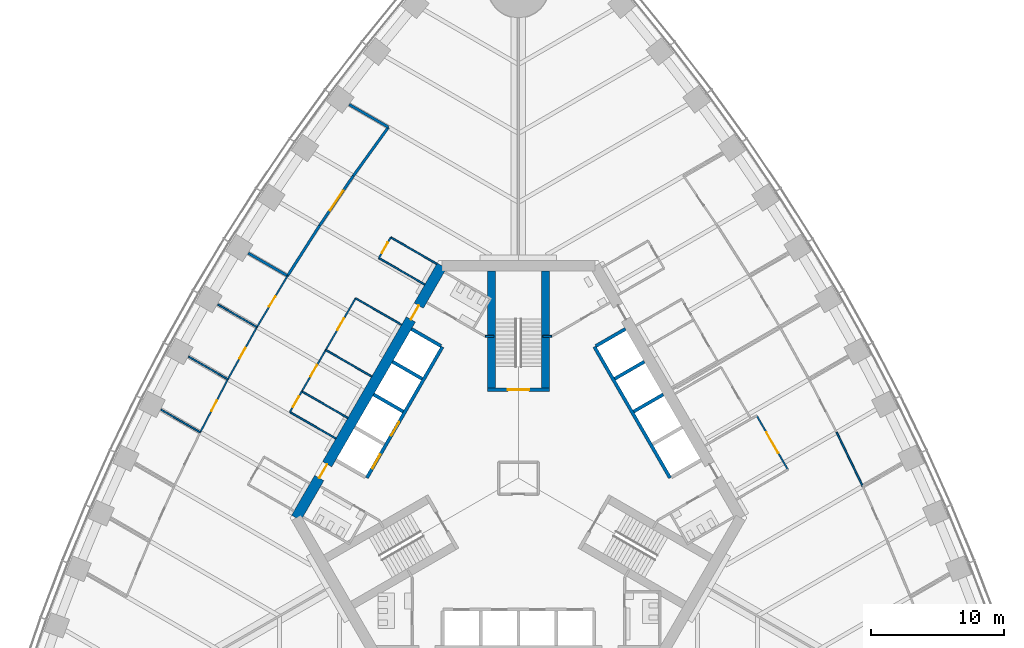
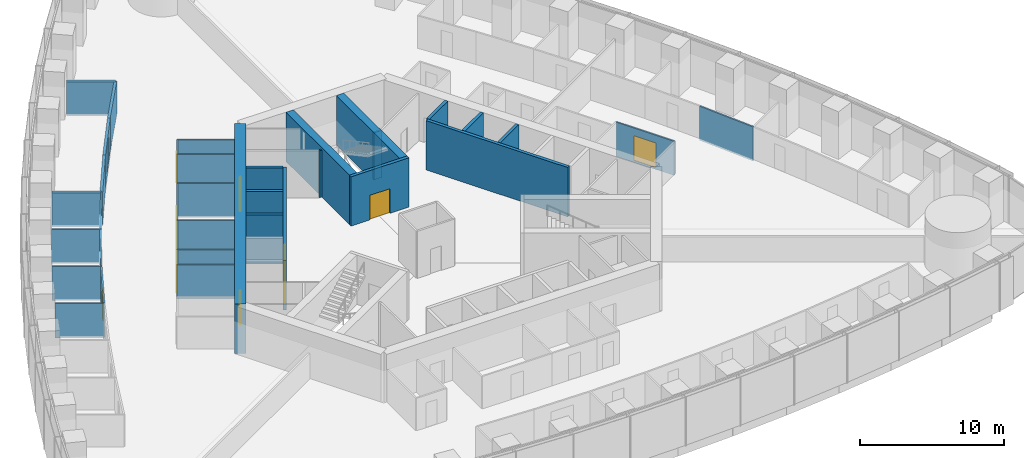
# One storey, part 12 of 19: 37 walls, 14 doors, 14 openings.
"""IFC4 building model written with IfcOpenShell, lengths in metres."""

from ifc_helpers import new_model, si_unit, direction, frame, frame_2d, origin, place, context, subcontext, project, spatial, rectangle, extrude, material, layer, layer_set, type_object, element, fill, save


model = new_model("IFC4")

# Units and contexts
model_context = context("Model", 3, precision=1e-05, world=origin(), true_north=direction((0.0, 1.0)))
body_context = subcontext(model_context, "Body", "Model", "MODEL_VIEW")
ifc_project = project(units=[si_unit("LENGTHUNIT", "METRE"), si_unit("AREAUNIT", "SQUARE_METRE"), si_unit("VOLUMEUNIT", "CUBIC_METRE"), si_unit("PLANEANGLEUNIT", "RADIAN"), si_unit("MASSUNIT", "GRAM", prefix="KILO")], contexts=[model_context])

# Site, building, storey
site_placement = place(None, origin())
site = spatial("IfcSite", under=ifc_project, at=site_placement, CompositionType="ELEMENT")
building_placement = place(site_placement, origin())
building = spatial("IfcBuilding", under=site, at=building_placement, Name="Trefoil Bronze Tower", CompositionType="ELEMENT")
storey_placement = place(building_placement, frame((0.0, 0.0, 20.699951171875)))
storey = spatial("IfcBuildingStorey", under=building, at=storey_placement, Name="L04", CompositionType="ELEMENT", Elevation=20.699951171875)

# Wall, opening, door
ifc_material_1 = material(Name="Gypsum board on steel studs", Category="steel")
ifc_layer_1 = layer(ifc_material_1, 0.199951171875)
ifc_layer_set_1 = layer_set([ifc_layer_1], Name="Acoustic partition 200")
wall_type_1 = type_object("IfcWallType", Name="Acoustic partition 200", PredefinedType="PARTITIONING", material=ifc_layer_set_1)
wall_1_placement = place(storey_placement, frame((-12.441162109375, 22.771240234375, 0.0), z_axis=(0.0, 0.0, 1.0), x_axis=(-0.561512004239, -0.827468591002, 0.0)))
wall_1 = element("IfcWall", 1, at=wall_1_placement, inside=storey, type_object=wall_type_1, Name="Partition F3 L04", PredefinedType="PARTITIONING", context=body_context, shape_type="SweptSolid", body=[
    extrude(rectangle(XDim=4.51171875, YDim=0.199951171875, at=frame_2d((2.255859375, 0.0))), origin(), (0.0, 0.0, 1.0), 2.900146484375),
])
opening_1_placement = place(wall_1_placement, frame((1.35009765625, 0.0, 0.14990234375)))
opening_1 = element("IfcOpeningElement", 2, at=opening_1_placement, cuts=wall_1, Name="Opening D10", PredefinedType="OPENING", context=body_context, shape_type="SweptSolid", body=[
    extrude(rectangle(XDim=1.800048828125, YDim=2.10009765625, at=frame_2d((0.89990234375, 1.050048828125))), frame((0.0, 0.10986328125, 0.0), z_axis=(0.0, -1.0, 0.0), x_axis=(1.0, 0.0, 0.0)), (0.0, 0.0, 1.0), 0.219970703125),
])
ifc_material_2 = material(Name="Timber door", Category="wood")
door_type_1 = type_object("IfcDoorType", Name="Double door 1800", OperationType="DOUBLE_DOOR_SINGLE_SWING", PredefinedType="DOOR", material=ifc_material_2)
door_1_placement = place(opening_1_placement, frame((1.800048828125, 0.0, 0.0), z_axis=(0.0, 0.0, 1.0), x_axis=(-1.0, 0.0, 0.0)))
door_1 = element("IfcDoor", 3, at=door_1_placement, inside=storey, type_object=door_type_1, Name="Training room door F3 L04", OperationType="DOUBLE_DOOR_SINGLE_SWING", OverallHeight=2.10009765625, OverallWidth=1.800048828125, PredefinedType="DOOR", context=body_context, shape_type="SweptSolid", body=[
    extrude(rectangle(XDim=1.800048828125, YDim=2.10009765625, at=frame_2d((0.89990234375, 1.050048828125))), frame((0.0, 0.02490234375, 0.0), z_axis=(0.0, -1.0, 0.0), x_axis=(1.0, 0.0, 0.0)), (0.0, 0.0, 1.0), 0.050048828125),
])
fill(opening_1, door_1)

# Walls
wall_2_placement = place(storey_placement, frame((-9.793212890625, 26.438720703125, 0.0), z_axis=(0.0, 0.0, 1.0), x_axis=(-0.585376255171, -0.810761765183, 0.0)))
element("IfcWall", 4, at=wall_2_placement, inside=storey, type_object=wall_type_1, Name="Partition F3 L04", PredefinedType="PARTITIONING", context=body_context, shape_type="SweptSolid", body=[
    extrude(rectangle(XDim=4.5234375, YDim=0.199951171875, at=frame_2d((2.26171875, 0.0))), origin(), (0.0, 0.0, 1.0), 2.900146484375),
])
wall_3_placement = place(storey_placement, frame((-14.974609375, 19.037841796875, 0.0), z_axis=(0.0, 0.0, 1.0), x_axis=(-0.537243691336, -0.843427066272, 0.0)))
element("IfcWall", 5, at=wall_3_placement, inside=storey, type_object=wall_type_1, Name="Partition F3 L04", PredefinedType="PARTITIONING", context=body_context, shape_type="SweptSolid", body=[
    extrude(rectangle(XDim=4.50439453125, YDim=0.199951171875, at=frame_2d((2.252197265625, 0.0))), origin(), (0.0, 0.0, 1.0), 2.900146484375),
])
wall_4_placement = place(storey_placement, frame((-9.793212890625, 26.438720703125, 0.0), z_axis=(0.0, 0.0, 1.0), x_axis=(-0.866040105854, 0.499974534403, 0.0)))
element("IfcWall", 6, at=wall_4_placement, inside=storey, type_object=wall_type_1, Name="Partition F3 L04", PredefinedType="PARTITIONING", context=body_context, shape_type="SweptSolid", body=[
    extrude(rectangle(XDim=3.409423828125, YDim=0.199951171875, at=frame_2d((1.70458984375, 0.0))), origin(), (0.0, 0.0, 1.0), 2.900146484375),
])
wall_5_placement = place(storey_placement, frame((-17.39453125, 15.23876953125, 0.0), z_axis=(0.0, 0.0, 1.0), x_axis=(-0.866015553834, 0.500017060227, 0.0)))
element("IfcWall", 7, at=wall_5_placement, inside=storey, type_object=wall_type_1, Name="Partition F3 L04", PredefinedType="PARTITIONING", context=body_context, shape_type="SweptSolid", body=[
    extrude(rectangle(XDim=3.41943359375, YDim=0.199951171875, at=frame_2d((1.709716796875, 0.0))), origin(), (0.0, 0.0, 1.0), 2.900146484375),
])

# Wall, openings, doors
ifc_material_3 = material(Name="Concrete B80", Category="concrete")
ifc_layer_2 = layer(ifc_material_3, 0.800048828125)
ifc_layer_set_2 = layer_set([ifc_layer_2], Name="Core wall 800")
wall_type_2 = type_object("IfcWallType", Name="Core wall 800", PredefinedType="SHEAR", material=ifc_layer_set_2)
wall_6_placement = place(storey_placement, frame((-5.7734375, 16.0, 0.0), z_axis=(0.0, 0.0, 1.0), x_axis=(-0.500002442456, -0.866023993627, 0.0)))
wall_6 = element("IfcWall", 8, at=wall_6_placement, inside=storey, type_object=wall_type_2, Name="Core long wall 3 L04", PredefinedType="SHEAR", context=body_context, shape_type="SweptSolid", body=[
    extrude(rectangle(XDim=21.939453125, YDim=0.800048828125, at=frame_2d((10.9697265625, 0.0))), origin(), (0.0, 0.0, 1.0), 4.199951171875),
])
opening_2_placement = place(wall_6_placement, frame((17.269775390625, 0.0, 0.0)))
opening_2 = element("IfcOpeningElement", 9, at=opening_2_placement, cuts=wall_6, Name="Opening D2", PredefinedType="OPENING", context=body_context, shape_type="SweptSolid", body=[
    extrude(rectangle(XDim=1.199951171875, YDim=2.10009765625, at=frame_2d((0.60009765625, 1.050048828125))), frame((0.0, 0.409912109375, 0.0), z_axis=(0.0, -1.0, 0.0), x_axis=(1.0, 0.0, 0.0)), (0.0, 0.0, 1.0), 0.820068359375),
])
opening_3_placement = place(wall_6_placement, frame((3.4697265625, 0.0, 0.0)))
opening_3 = element("IfcOpeningElement", 10, at=opening_3_placement, cuts=wall_6, Name="Opening D2", PredefinedType="OPENING", context=body_context, shape_type="SweptSolid", body=[
    extrude(rectangle(XDim=1.199951171875, YDim=2.10009765625, at=frame_2d((0.60009765625, 1.050048828125))), frame((0.0, 0.409912109375, 0.0), z_axis=(0.0, -1.0, 0.0), x_axis=(1.0, 0.0, 0.0)), (0.0, 0.0, 1.0), 0.820068359375),
])
ifc_material_4 = material(Name="Steel door", Category="steel")
door_type_2 = type_object("IfcDoorType", Name="Lobby door 1200", OperationType="SINGLE_SWING_RIGHT", PredefinedType="DOOR", material=ifc_material_4)
door_2_placement = place(opening_2_placement, origin())
door_2 = element("IfcDoor", 11, at=door_2_placement, inside=storey, type_object=door_type_2, Name="Lobby door F3+ L04", OperationType="SINGLE_SWING_RIGHT", OverallHeight=2.10009765625, OverallWidth=1.199951171875, PredefinedType="DOOR", context=body_context, shape_type="SweptSolid", body=[
    extrude(rectangle(XDim=1.199951171875, YDim=2.10009765625, at=frame_2d((0.60009765625, 1.050048828125))), frame((0.0, 0.02490234375, 0.0), z_axis=(0.0, -1.0, 0.0), x_axis=(1.0, 0.0, 0.0)), (0.0, 0.0, 1.0), 0.050048828125),
])
fill(opening_2, door_2)
door_3_placement = place(opening_3_placement, origin())
door_3 = element("IfcDoor", 12, at=door_3_placement, inside=storey, type_object=door_type_2, Name="Lobby door F3- L04", OperationType="SINGLE_SWING_LEFT", OverallHeight=2.10009765625, OverallWidth=1.199951171875, PredefinedType="DOOR", context=body_context, shape_type="SweptSolid", body=[
    extrude(rectangle(XDim=1.199951171875, YDim=2.10009765625, at=frame_2d((0.60009765625, 1.050048828125))), frame((0.0, 0.02490234375, 0.0), z_axis=(0.0, -1.0, 0.0), x_axis=(1.0, 0.0, 0.0)), (0.0, 0.0, 1.0), 0.050048828125),
])
fill(opening_3, door_3)

# Wall, opening, door
ifc_material_5 = material(Name="Glazed partition", Category="glass")
ifc_layer_3 = layer(ifc_material_5, 0.1201171875)
ifc_layer_set_3 = layer_set([ifc_layer_3], Name="Glazed partition 120")
wall_type_3 = type_object("IfcWallType", Name="Glazed partition 120", PredefinedType="PARTITIONING", material=ifc_layer_set_3)
wall_7_placement = place(storey_placement, frame((20.3017578125, 0.63623046875, 0.0), z_axis=(0.0, 0.0, 1.0), x_axis=(-0.499977259774, 0.866038532462, 0.0)))
wall_7 = element("IfcWall", 13, at=wall_7_placement, inside=storey, type_object=wall_type_3, Name="Partition F2 L04", PredefinedType="PARTITIONING", context=body_context, shape_type="SweptSolid", body=[
    extrude(rectangle(XDim=4.699951171875, YDim=0.1201171875, at=frame_2d((2.35009765625, 0.0))), origin(), (0.0, 0.0, 1.0), 2.900146484375),
])
opening_4_placement = place(wall_7_placement, frame((1.449951171875, 0.0, 0.14990234375)))
opening_4 = element("IfcOpeningElement", 14, at=opening_4_placement, cuts=wall_7, Name="Opening D10", PredefinedType="OPENING", context=body_context, shape_type="SweptSolid", body=[
    extrude(rectangle(XDim=1.800048828125, YDim=2.10009765625, at=frame_2d((0.89990234375, 1.050048828125))), frame((0.0, 0.070068359375, 0.0), z_axis=(0.0, -1.0, 0.0), x_axis=(1.0, 0.0, 0.0)), (0.0, 0.0, 1.0), 0.14013671875),
])
door_4_placement = place(opening_4_placement, origin())
door_4 = element("IfcDoor", 15, at=door_4_placement, inside=storey, type_object=door_type_1, Name="Reception door F2 L04", OperationType="DOUBLE_DOOR_SINGLE_SWING", OverallHeight=2.10009765625, OverallWidth=1.800048828125, PredefinedType="DOOR", context=body_context, shape_type="SweptSolid", body=[
    extrude(rectangle(XDim=1.800048828125, YDim=2.10009765625, at=frame_2d((0.89990234375, 1.050048828125))), frame((0.0, 0.02490234375, 0.0), z_axis=(0.0, -1.0, 0.0), x_axis=(1.0, 0.0, 0.0)), (0.0, 0.0, 1.0), 0.050048828125),
])
fill(opening_4, door_4)

# Wall
wall_8_placement = place(storey_placement, frame((25.941162109375, -0.611328125, 0.0), z_axis=(0.0, 0.0, 1.0), x_axis=(-0.435857917556, 0.900015486369, 0.0)))
element("IfcWall", 16, at=wall_8_placement, inside=storey, type_object=wall_type_3, Name="Partition F2 L04", PredefinedType="PARTITIONING", context=body_context, shape_type="SweptSolid", body=[
    extrude(rectangle(XDim=4.511962890625, YDim=0.1201171875, at=frame_2d((2.255859375, 0.0))), origin(), (0.0, 0.0, 1.0), 2.900146484375),
])

# Wall, opening, door
wall_9_placement = place(storey_placement, frame((-16.31884765625, 6.534912109375, 0.0), z_axis=(0.0, 0.0, 1.0), x_axis=(-0.499961193289, -0.866047807691, 0.0)))
wall_9 = element("IfcWall", 17, at=wall_9_placement, inside=storey, type_object=wall_type_3, Name="Partition F3 L04", PredefinedType="PARTITIONING", context=body_context, shape_type="SweptSolid", body=[
    extrude(rectangle(XDim=1.800048828125, YDim=0.1201171875, at=frame_2d((0.89990234375, 0.0))), origin(), (0.0, 0.0, 1.0), 2.900146484375),
])
opening_5_placement = place(wall_9_placement, frame((0.449951171875, 0.0, 0.14990234375)))
opening_5 = element("IfcOpeningElement", 18, at=opening_5_placement, cuts=wall_9, Name="Opening D8", PredefinedType="OPENING", context=body_context, shape_type="SweptSolid", body=[
    extrude(rectangle(XDim=0.89990234375, YDim=2.10009765625, at=frame_2d((0.449951171875, 1.050048828125))), frame((0.0, 0.070068359375, 0.0), z_axis=(0.0, -1.0, 0.0), x_axis=(1.0, 0.0, 0.0)), (0.0, 0.0, 1.0), 0.14013671875),
])
ifc_material_6 = material(Name="Timber door", Category="wood")
door_type_3 = type_object("IfcDoorType", Name="Office door 900", OperationType="SINGLE_SWING_LEFT", PredefinedType="DOOR", material=ifc_material_6)
door_5_placement = place(opening_5_placement, origin())
door_5 = element("IfcDoor", 19, at=door_5_placement, inside=storey, type_object=door_type_3, Name="Phone room door F3 L04", OperationType="SINGLE_SWING_LEFT", OverallHeight=2.10009765625, OverallWidth=0.89990234375, PredefinedType="DOOR", context=body_context, shape_type="SweptSolid", body=[
    extrude(rectangle(XDim=0.89990234375, YDim=2.10009765625, at=frame_2d((0.449951171875, 1.050048828125))), frame((0.0, 0.02490234375, 0.0), z_axis=(0.0, -1.0, 0.0), x_axis=(1.0, 0.0, 0.0)), (0.0, 0.0, 1.0), 0.050048828125),
])
fill(opening_5, door_5)

wall_10_placement = place(storey_placement, frame((-14.518798828125, 9.652587890625, 0.0), z_axis=(0.0, 0.0, 1.0), x_axis=(-0.500012057535, -0.866018442252, 0.0)))
wall_10 = element("IfcWall", 20, at=wall_10_placement, inside=storey, type_object=wall_type_3, Name="Partition F3 L04", PredefinedType="PARTITIONING", context=body_context, shape_type="SweptSolid", body=[
    extrude(rectangle(XDim=3.60009765625, YDim=0.1201171875, at=frame_2d((1.800048828125, 0.0))), origin(), (0.0, 0.0, 1.0), 2.900146484375),
])
opening_6_placement = place(wall_10_placement, frame((1.300048828125, 0.0, 0.14990234375)))
opening_6 = element("IfcOpeningElement", 21, at=opening_6_placement, cuts=wall_10, Name="Opening D9", PredefinedType="OPENING", context=body_context, shape_type="SweptSolid", body=[
    extrude(rectangle(XDim=1.0, YDim=2.10009765625, at=frame_2d((0.5, 1.050048828125))), frame((0.0, 0.070068359375, 0.0), z_axis=(0.0, -1.0, 0.0), x_axis=(1.0, 0.0, 0.0)), (0.0, 0.0, 1.0), 0.14013671875),
])
ifc_material_7 = material(Name="Glazed timber door", Category="wood")
door_type_4 = type_object("IfcDoorType", Name="Meeting room door 1000", OperationType="SINGLE_SWING_LEFT", PredefinedType="DOOR", material=ifc_material_7)
door_6_placement = place(opening_6_placement, origin())
door_6 = element("IfcDoor", 22, at=door_6_placement, inside=storey, type_object=door_type_4, Name="Meeting room door F3 L04", OperationType="SINGLE_SWING_RIGHT", OverallHeight=2.10009765625, OverallWidth=1.0, PredefinedType="DOOR", context=body_context, shape_type="SweptSolid", body=[
    extrude(rectangle(XDim=1.0, YDim=2.10009765625, at=frame_2d((0.5, 1.050048828125))), frame((0.0, 0.02490234375, 0.0), z_axis=(0.0, -1.0, 0.0), x_axis=(1.0, 0.0, 0.0)), (0.0, 0.0, 1.0), 0.050048828125),
])
fill(opening_6, door_6)

wall_11_placement = place(storey_placement, frame((-9.618896484375, 18.1396484375, 0.0), z_axis=(0.0, 0.0, 1.0), x_axis=(-0.499961193289, -0.866047807691, 0.0)))
wall_11 = element("IfcWall", 23, at=wall_11_placement, inside=storey, type_object=wall_type_3, Name="Partition F3 L04", PredefinedType="PARTITIONING", context=body_context, shape_type="SweptSolid", body=[
    extrude(rectangle(XDim=1.800048828125, YDim=0.1201171875, at=frame_2d((0.89990234375, 0.0))), origin(), (0.0, 0.0, 1.0), 2.900146484375),
])
opening_7_placement = place(wall_11_placement, frame((0.449951171875, 0.0, 0.14990234375)))
opening_7 = element("IfcOpeningElement", 24, at=opening_7_placement, cuts=wall_11, Name="Opening D8", PredefinedType="OPENING", context=body_context, shape_type="SweptSolid", body=[
    extrude(rectangle(XDim=0.89990234375, YDim=2.10009765625, at=frame_2d((0.449951171875, 1.050048828125))), frame((0.0, 0.070068359375, 0.0), z_axis=(0.0, -1.0, 0.0), x_axis=(1.0, 0.0, 0.0)), (0.0, 0.0, 1.0), 0.14013671875),
])
door_7_placement = place(opening_7_placement, origin())
door_7 = element("IfcDoor", 25, at=door_7_placement, inside=storey, type_object=door_type_3, Name="Phone room door F3 L04", OperationType="SINGLE_SWING_LEFT", OverallHeight=2.10009765625, OverallWidth=0.89990234375, PredefinedType="DOOR", context=body_context, shape_type="SweptSolid", body=[
    extrude(rectangle(XDim=0.89990234375, YDim=2.10009765625, at=frame_2d((0.449951171875, 1.050048828125))), frame((0.0, 0.02490234375, 0.0), z_axis=(0.0, -1.0, 0.0), x_axis=(1.0, 0.0, 0.0)), (0.0, 0.0, 1.0), 0.050048828125),
])
fill(opening_7, door_7)

wall_12_placement = place(storey_placement, frame((-12.268798828125, 13.5498046875, 0.0), z_axis=(0.0, 0.0, 1.0), x_axis=(-0.499990139034, -0.866031096941, 0.0)))
wall_12 = element("IfcWall", 26, at=wall_12_placement, inside=storey, type_object=wall_type_3, Name="Partition F3 L04", PredefinedType="PARTITIONING", context=body_context, shape_type="SweptSolid", body=[
    extrude(rectangle(XDim=4.5, YDim=0.1201171875, at=frame_2d((2.25, 0.0))), origin(), (0.0, 0.0, 1.0), 2.900146484375),
])
opening_8_placement = place(wall_12_placement, frame((1.75, 0.0, 0.14990234375)))
opening_8 = element("IfcOpeningElement", 27, at=opening_8_placement, cuts=wall_12, Name="Opening D9", PredefinedType="OPENING", context=body_context, shape_type="SweptSolid", body=[
    extrude(rectangle(XDim=1.0, YDim=2.10009765625, at=frame_2d((0.5, 1.050048828125))), frame((0.0, 0.070068359375, 0.0), z_axis=(0.0, -1.0, 0.0), x_axis=(1.0, 0.0, 0.0)), (0.0, 0.0, 1.0), 0.14013671875),
])
door_8_placement = place(opening_8_placement, origin())
door_8 = element("IfcDoor", 28, at=door_8_placement, inside=storey, type_object=door_type_4, Name="Project room door F3 L04", OperationType="SINGLE_SWING_RIGHT", OverallHeight=2.10009765625, OverallWidth=1.0, PredefinedType="DOOR", context=body_context, shape_type="SweptSolid", body=[
    extrude(rectangle(XDim=1.0, YDim=2.10009765625, at=frame_2d((0.5, 1.050048828125))), frame((0.0, 0.02490234375, 0.0), z_axis=(0.0, -1.0, 0.0), x_axis=(1.0, 0.0, 0.0)), (0.0, 0.0, 1.0), 0.050048828125),
])
fill(opening_8, door_8)

# Walls
for number, where, z_axis, x_axis, name in (
    (29, (-12.854736328125, 4.534912109375, 0.0), (0.0, 0.0, 1.0), (-0.866026010844, 0.49999894854, 0.0), "Partition F3 L04"),
    (30, (-13.754638671875, 2.97607421875, 0.0), (0.0, 0.0, 1.0), (-0.866026010844, 0.49999894854, 0.0), "Partition F3 L04"),
    (31, (-11.0546875, 7.652587890625, 0.0), (0.0, 0.0, 1.0), (-0.866026010844, 0.49999894854, 0.0), "Partition F3 L04"),
    (32, (-6.15478515625, 16.1396484375, 0.0), (0.0, 0.0, 1.0), (-0.866026010844, 0.49999894854, 0.0), "Partition F3 L04"),
    (33, (-8.8046875, 11.5498046875, 0.0), (0.0, 0.0, 1.0), (-0.866026010844, 0.49999894854, 0.0), "Partition F3 L04"),
    (34, (-7.0546875, 14.580810546875, 0.0), (0.0, 0.0, 1.0), (-0.866026010844, 0.49999894854, 0.0), "Partition F3 L04"),
):
    element("IfcWall", number, at=place(storey_placement, frame(where, z_axis=z_axis, x_axis=x_axis)), inside=storey, type_object=wall_type_3, Name=name, PredefinedType="PARTITIONING", context=body_context, shape_type="SweptSolid", body=[
        extrude(rectangle(XDim=4.0, YDim=0.1201171875, at=frame_2d((2.0, 0.0))), origin(), (0.0, 0.0, 1.0), 2.900146484375),
    ])

# Wall, opening, door
wall_13_placement = place(storey_placement, frame((-19.700927734375, 11.374267578125, 0.0), z_axis=(0.0, 0.0, 1.0), x_axis=(-0.487415216275, -0.87317031955, 0.0)))
wall_13 = element("IfcWall", 35, at=wall_13_placement, inside=storey, type_object=wall_type_3, Name="Partition F3 L04", PredefinedType="PARTITIONING", context=body_context, shape_type="SweptSolid", body=[
    extrude(rectangle(XDim=4.50048828125, YDim=0.1201171875, at=frame_2d((2.250244140625, 0.0))), origin(), (0.0, 0.0, 1.0), 2.900146484375),
])
opening_9_placement = place(wall_13_placement, frame((1.800048828125, 0.0, 0.14990234375)))
opening_9 = element("IfcOpeningElement", 36, at=opening_9_placement, cuts=wall_13, Name="Opening D8", PredefinedType="OPENING", context=body_context, shape_type="SweptSolid", body=[
    extrude(rectangle(XDim=0.89990234375, YDim=2.10009765625, at=frame_2d((0.449951171875, 1.050048828125))), frame((0.0, 0.070068359375, 0.0), z_axis=(0.0, -1.0, 0.0), x_axis=(1.0, 0.0, 0.0)), (0.0, 0.0, 1.0), 0.14013671875),
])
door_9_placement = place(opening_9_placement, frame((0.89990234375, 0.0, 0.0), z_axis=(0.0, 0.0, 1.0), x_axis=(-1.0, 0.0, 0.0)))
door_9 = element("IfcDoor", 37, at=door_9_placement, inside=storey, type_object=door_type_3, Name="Office door F3 L04", OperationType="SINGLE_SWING_RIGHT", OverallHeight=2.10009765625, OverallWidth=0.89990234375, PredefinedType="DOOR", context=body_context, shape_type="SweptSolid", body=[
    extrude(rectangle(XDim=0.89990234375, YDim=2.10009765625, at=frame_2d((0.449951171875, 1.050048828125))), frame((0.0, 0.02490234375, 0.0), z_axis=(0.0, -1.0, 0.0), x_axis=(1.0, 0.0, 0.0)), (0.0, 0.0, 1.0), 0.050048828125),
])
fill(opening_9, door_9)

wall_14_placement = place(storey_placement, frame((-21.89453125, 7.444580078125, 0.0), z_axis=(0.0, 0.0, 1.0), x_axis=(-0.461810056307, -0.886978845235, 0.0)))
wall_14 = element("IfcWall", 38, at=wall_14_placement, inside=storey, type_object=wall_type_3, Name="Partition F3 L04", PredefinedType="PARTITIONING", context=body_context, shape_type="SweptSolid", body=[
    extrude(rectangle(XDim=4.504150390625, YDim=0.1201171875, at=frame_2d((2.251953125, 0.0))), origin(), (0.0, 0.0, 1.0), 2.900146484375),
])
opening_10_placement = place(wall_14_placement, frame((1.800048828125, 0.0, 0.14990234375)))
opening_10 = element("IfcOpeningElement", 39, at=opening_10_placement, cuts=wall_14, Name="Opening D8", PredefinedType="OPENING", context=body_context, shape_type="SweptSolid", body=[
    extrude(rectangle(XDim=0.89990234375, YDim=2.10009765625, at=frame_2d((0.449951171875, 1.050048828125))), frame((0.0, 0.070068359375, 0.0), z_axis=(0.0, -1.0, 0.0), x_axis=(1.0, 0.0, 0.0)), (0.0, 0.0, 1.0), 0.14013671875),
])
door_10_placement = place(opening_10_placement, frame((0.89990234375, 0.0, 0.0), z_axis=(0.0, 0.0, 1.0), x_axis=(-1.0, 0.0, 0.0)))
door_10 = element("IfcDoor", 40, at=door_10_placement, inside=storey, type_object=door_type_3, Name="Office door F3 L04", OperationType="SINGLE_SWING_RIGHT", OverallHeight=2.10009765625, OverallWidth=0.89990234375, PredefinedType="DOOR", context=body_context, shape_type="SweptSolid", body=[
    extrude(rectangle(XDim=0.89990234375, YDim=2.10009765625, at=frame_2d((0.449951171875, 1.050048828125))), frame((0.0, 0.02490234375, 0.0), z_axis=(0.0, -1.0, 0.0), x_axis=(1.0, 0.0, 0.0)), (0.0, 0.0, 1.0), 0.050048828125),
])
fill(opening_10, door_10)

wall_15_placement = place(storey_placement, frame((-17.39453125, 15.23876953125, 0.0), z_axis=(0.0, 0.0, 1.0), x_axis=(-0.512483962191, -0.858696796604, 0.0)))
wall_15 = element("IfcWall", 41, at=wall_15_placement, inside=storey, type_object=wall_type_3, Name="Partition F3 L04", PredefinedType="PARTITIONING", context=body_context, shape_type="SweptSolid", body=[
    extrude(rectangle(XDim=4.50048828125, YDim=0.1201171875, at=frame_2d((2.250244140625, 0.0))), origin(), (0.0, 0.0, 1.0), 2.900146484375),
])
opening_11_placement = place(wall_15_placement, frame((1.800048828125, 0.0, 0.14990234375)))
opening_11 = element("IfcOpeningElement", 42, at=opening_11_placement, cuts=wall_15, Name="Opening D8", PredefinedType="OPENING", context=body_context, shape_type="SweptSolid", body=[
    extrude(rectangle(XDim=0.89990234375, YDim=2.10009765625, at=frame_2d((0.449951171875, 1.050048828125))), frame((0.0, 0.070068359375, 0.0), z_axis=(0.0, -1.0, 0.0), x_axis=(1.0, 0.0, 0.0)), (0.0, 0.0, 1.0), 0.14013671875),
])
door_11_placement = place(opening_11_placement, frame((0.89990234375, 0.0, 0.0), z_axis=(0.0, 0.0, 1.0), x_axis=(-1.0, 0.0, 0.0)))
door_11 = element("IfcDoor", 43, at=door_11_placement, inside=storey, type_object=door_type_3, Name="Office door F3 L04", OperationType="SINGLE_SWING_RIGHT", OverallHeight=2.10009765625, OverallWidth=0.89990234375, PredefinedType="DOOR", context=body_context, shape_type="SweptSolid", body=[
    extrude(rectangle(XDim=0.89990234375, YDim=2.10009765625, at=frame_2d((0.449951171875, 1.050048828125))), frame((0.0, 0.02490234375, 0.0), z_axis=(0.0, -1.0, 0.0), x_axis=(1.0, 0.0, 0.0)), (0.0, 0.0, 1.0), 0.050048828125),
])
fill(opening_11, door_11)

# Walls
wall_16_placement = place(storey_placement, frame((-19.700927734375, 11.374267578125, 0.0), z_axis=(0.0, 0.0, 1.0), x_axis=(-0.866007273829, 0.50003140069, 0.0)))
element("IfcWall", 44, at=wall_16_placement, inside=storey, type_object=wall_type_3, Name="Partition F3 L04", PredefinedType="PARTITIONING", context=body_context, shape_type="SweptSolid", body=[
    extrude(rectangle(XDim=3.420166015625, YDim=0.1201171875, at=frame_2d((1.7099609375, 0.0))), origin(), (0.0, 0.0, 1.0), 2.900146484375),
])
wall_17_placement = place(storey_placement, frame((-21.89453125, 7.444580078125, 0.0), z_axis=(0.0, 0.0, 1.0), x_axis=(-0.866015553834, 0.500017060227, 0.0)))
element("IfcWall", 45, at=wall_17_placement, inside=storey, type_object=wall_type_3, Name="Partition F3 L04", PredefinedType="PARTITIONING", context=body_context, shape_type="SweptSolid", body=[
    extrude(rectangle(XDim=3.41943359375, YDim=0.1201171875, at=frame_2d((1.709716796875, 0.0))), origin(), (0.0, 0.0, 1.0), 2.900146484375),
])
wall_18_placement = place(storey_placement, frame((-23.974609375, 3.449462890625, 0.0), z_axis=(0.0, 0.0, 1.0), x_axis=(-0.866014265796, 0.500019291066, 0.0)))
element("IfcWall", 46, at=wall_18_placement, inside=storey, type_object=wall_type_3, Name="Partition F3 L04", PredefinedType="PARTITIONING", context=body_context, shape_type="SweptSolid", body=[
    extrude(rectangle(XDim=3.417236328125, YDim=0.1201171875, at=frame_2d((1.70849609375, 0.0))), origin(), (0.0, 0.0, 1.0), 2.900146484375),
])
ifc_material_8 = material(Name="Gypsum board on steel studs", Category="steel")
ifc_layer_4 = layer(ifc_material_8, 0.14990234375)
ifc_layer_set_4 = layer_set([ifc_layer_4], Name="Partition 150")
wall_type_4 = type_object("IfcWallType", Name="Partition 150", PredefinedType="PARTITIONING", material=ifc_layer_set_4)
for number, where, z_axis, x_axis, name in (
    (47, (2.4951171875, 10.67822265625, 0.0), (0.0, 0.0, 1.0), (-1.0, 0.0, 0.0), "WC wall ST2-1 L04"),
    (48, (-2.4951171875, 10.67822265625, 0.0), (0.0, 0.0, 1.0), (1.0, 0.0, 0.0), "WC wall ST2+1 L04"),
):
    element("IfcWall", number, at=place(storey_placement, frame(where, z_axis=z_axis, x_axis=x_axis)), inside=storey, type_object=wall_type_4, Name=name, PredefinedType="PARTITIONING", context=body_context, shape_type="SweptSolid", body=[
        extrude(rectangle(XDim=0.64501953125, YDim=0.14990234375, at=frame_2d((0.322509765625, 0.0))), origin(), (0.0, 0.0, 1.0), 4.0),
    ])
ifc_material_9 = material(Name="Concrete B80", Category="concrete")
ifc_layer_5 = layer(ifc_material_9, 0.25)
ifc_layer_set_5 = layer_set([ifc_layer_5], Name="Shaft wall 250")
wall_type_5 = type_object("IfcWallType", Name="Shaft wall 250", PredefinedType="SHEAR", material=ifc_layer_set_5)
wall_19_placement = place(storey_placement, frame((11.423583984375, 0.013671875, 0.0), z_axis=(0.0, 0.0, 1.0), x_axis=(-0.500001763848, 0.866024385424, 0.0)))
element("IfcWall", 49, at=wall_19_placement, inside=storey, type_object=wall_type_5, Name="Lift shaft front wall B L04", PredefinedType="SHEAR", context=body_context, shape_type="SweptSolid", body=[
    extrude(rectangle(XDim=11.39990234375, YDim=0.25, at=frame_2d((5.699951171875, 0.0))), origin(), (0.0, 0.0, 1.0), 4.199951171875),
])
for number, where, z_axis, x_axis, name in (
    (50, (8.681884765625, 5.012451171875, 0.0), (0.0, 0.0, 1.0), (0.866005588531, 0.500034319456, 0.0), "Lift shaft side wall B2 L04"),
    (51, (7.2568359375, 7.480712890625, 0.0), (0.0, 0.0, 1.0), (0.866046643894, 0.499963209246, 0.0), "Lift shaft side wall B3 L04"),
):
    element("IfcWall", number, at=place(storey_placement, frame(where, z_axis=z_axis, x_axis=x_axis)), inside=storey, type_object=wall_type_5, Name=name, PredefinedType="SHEAR", context=body_context, shape_type="SweptSolid", body=[
        extrude(rectangle(XDim=2.574951171875, YDim=0.25, at=frame_2d((1.28759765625, 0.0))), origin(), (0.0, 0.0, 1.0), 4.199951171875),
    ])
wall_20_placement = place(storey_placement, frame((5.831787109375, 9.94873046875, 0.0), z_axis=(0.0, 0.0, 1.0), x_axis=(0.866029291668, 0.499993265928, 0.0)))
element("IfcWall", 52, at=wall_20_placement, inside=storey, type_object=wall_type_5, Name="Lift shaft side wall B4 L04", PredefinedType="SHEAR", context=body_context, shape_type="SweptSolid", body=[
    extrude(rectangle(XDim=2.5751953125, YDim=0.25, at=frame_2d((1.28759765625, 0.0))), origin(), (0.0, 0.0, 1.0), 4.199951171875),
])

# Wall, openings, doors
wall_21_placement = place(storey_placement, frame((-5.7236328125, 9.88623046875, 0.0), z_axis=(0.0, 0.0, 1.0), x_axis=(-0.500001763848, -0.866024385424, 0.0)))
wall_21 = element("IfcWall", 53, at=wall_21_placement, inside=storey, type_object=wall_type_5, Name="Lift shaft front wall C L04", PredefinedType="SHEAR", context=body_context, shape_type="SweptSolid", body=[
    extrude(rectangle(XDim=11.39990234375, YDim=0.25, at=frame_2d((5.699951171875, 0.0))), origin(), (0.0, 0.0, 1.0), 4.199951171875),
])
opening_12_placement = place(wall_21_placement, frame((6.52490234375, 0.0, 0.0)))
opening_12 = element("IfcOpeningElement", 54, at=opening_12_placement, cuts=wall_21, Name="Opening LD-FL1", PredefinedType="OPENING", context=body_context, shape_type="SweptSolid", body=[
    extrude(rectangle(XDim=1.199951171875, YDim=2.199951171875, at=frame_2d((0.60009765625, 1.10009765625))), frame((0.0, 0.135009765625, 0.0), z_axis=(0.0, -1.0, 0.0), x_axis=(1.0, 0.0, 0.0)), (0.0, 0.0, 1.0), 0.27001953125),
])
opening_13_placement = place(wall_21_placement, frame((9.375, 0.0, 0.0)))
opening_13 = element("IfcOpeningElement", 55, at=opening_13_placement, cuts=wall_21, Name="Opening LD-FL2", PredefinedType="OPENING", context=body_context, shape_type="SweptSolid", body=[
    extrude(rectangle(XDim=1.199951171875, YDim=2.199951171875, at=frame_2d((0.60009765625, 1.10009765625))), frame((0.0, 0.135009765625, 0.0), z_axis=(0.0, -1.0, 0.0), x_axis=(1.0, 0.0, 0.0)), (0.0, 0.0, 1.0), 0.27001953125),
])
ifc_material_10 = material(Name="Steel door", Category="steel")
door_type_5 = type_object("IfcDoorType", Name="Lift landing door 1200", OperationType="DOUBLE_DOOR_SLIDING", PredefinedType="DOOR", material=ifc_material_10)
door_12_placement = place(opening_12_placement, origin())
door_12 = element("IfcDoor", 56, at=door_12_placement, inside=storey, type_object=door_type_5, Name="Lift FL1 landing door L04", OperationType="DOUBLE_DOOR_SLIDING", OverallHeight=2.199951171875, OverallWidth=1.199951171875, PredefinedType="DOOR", context=body_context, shape_type="SweptSolid", body=[
    extrude(rectangle(XDim=1.199951171875, YDim=2.199951171875, at=frame_2d((0.60009765625, 1.10009765625))), frame((0.0, 0.02490234375, 0.0), z_axis=(0.0, -1.0, 0.0), x_axis=(1.0, 0.0, 0.0)), (0.0, 0.0, 1.0), 0.050048828125),
])
fill(opening_12, door_12)
door_13_placement = place(opening_13_placement, origin())
door_13 = element("IfcDoor", 57, at=door_13_placement, inside=storey, type_object=door_type_5, Name="Lift FL2 landing door L04", OperationType="DOUBLE_DOOR_SLIDING", OverallHeight=2.199951171875, OverallWidth=1.199951171875, PredefinedType="DOOR", context=body_context, shape_type="SweptSolid", body=[
    extrude(rectangle(XDim=1.199951171875, YDim=2.199951171875, at=frame_2d((0.60009765625, 1.10009765625))), frame((0.0, 0.02490234375, 0.0), z_axis=(0.0, -1.0, 0.0), x_axis=(1.0, 0.0, 0.0)), (0.0, 0.0, 1.0), 0.050048828125),
])
fill(opening_13, door_13)

# Walls
wall_22_placement = place(storey_placement, frame((-5.831787109375, 9.94873046875, 0.0), z_axis=(0.0, 0.0, 1.0), x_axis=(-0.866029291668, 0.499993265928, 0.0)))
element("IfcWall", 58, at=wall_22_placement, inside=storey, type_object=wall_type_5, Name="Lift shaft side wall C0 L04", PredefinedType="SHEAR", context=body_context, shape_type="SweptSolid", body=[
    extrude(rectangle(XDim=2.5751953125, YDim=0.25, at=frame_2d((1.28759765625, 0.0))), origin(), (0.0, 0.0, 1.0), 4.199951171875),
])
for number, where, z_axis, x_axis, name in (
    (59, (-7.2568359375, 7.480712890625, 0.0), (0.0, 0.0, 1.0), (-0.866046643894, 0.499963209246, 0.0), "Lift shaft side wall C1 L04"),
    (60, (-8.681884765625, 5.012451171875, 0.0), (0.0, 0.0, 1.0), (-0.866005588531, 0.500034319456, 0.0), "Lift shaft side wall C2 L04"),
):
    element("IfcWall", number, at=place(storey_placement, frame(where, z_axis=z_axis, x_axis=x_axis)), inside=storey, type_object=wall_type_5, Name=name, PredefinedType="SHEAR", context=body_context, shape_type="SweptSolid", body=[
        extrude(rectangle(XDim=2.574951171875, YDim=0.25, at=frame_2d((1.28759765625, 0.0))), origin(), (0.0, 0.0, 1.0), 4.199951171875),
    ])

# Wall, opening, door
wall_23_placement = place(storey_placement, frame((2.324951171875, 6.64990234375, 0.0), z_axis=(0.0, 0.0, 1.0), x_axis=(-1.0, 0.0, 0.0)))
wall_23 = element("IfcWall", 61, at=wall_23_placement, inside=storey, type_object=wall_type_5, Name="Stair end wall ST2 L04", PredefinedType="SHEAR", context=body_context, shape_type="SweptSolid", body=[
    extrude(rectangle(XDim=4.64990234375, YDim=0.25, at=frame_2d((2.324951171875, 0.0))), origin(), (0.0, 0.0, 1.0), 4.199951171875),
])
opening_14_placement = place(wall_23_placement, frame((1.52490234375, 0.0, 0.0)))
opening_14 = element("IfcOpeningElement", 62, at=opening_14_placement, cuts=wall_23, Name="Opening D1", PredefinedType="OPENING", context=body_context, shape_type="SweptSolid", body=[
    extrude(rectangle(XDim=1.60009765625, YDim=2.10009765625, at=frame_2d((0.800048828125, 1.050048828125))), frame((0.0, 0.135009765625, 0.0), z_axis=(0.0, -1.0, 0.0), x_axis=(1.0, 0.0, 0.0)), (0.0, 0.0, 1.0), 0.27001953125),
])
ifc_material_11 = material(Name="Steel door", Category="steel")
door_type_6 = type_object("IfcDoorType", Name="Stair door 1600", OperationType="DOUBLE_DOOR_SINGLE_SWING", PredefinedType="DOOR", material=ifc_material_11)
door_14_placement = place(opening_14_placement, frame((1.60009765625, 0.0, 0.0), z_axis=(0.0, 0.0, 1.0), x_axis=(-1.0, 0.0, 0.0)))
door_14 = element("IfcDoor", 63, at=door_14_placement, inside=storey, type_object=door_type_6, Name="Stair door ST2 L04", OperationType="DOUBLE_DOOR_SINGLE_SWING", OverallHeight=2.10009765625, OverallWidth=1.60009765625, PredefinedType="DOOR", context=body_context, shape_type="SweptSolid", body=[
    extrude(rectangle(XDim=1.60009765625, YDim=2.10009765625, at=frame_2d((0.800048828125, 1.050048828125))), frame((0.0, 0.02490234375, 0.0), z_axis=(0.0, -1.0, 0.0), x_axis=(1.0, 0.0, 0.0)), (0.0, 0.0, 1.0), 0.050048828125),
])
fill(opening_14, door_14)

# Walls
ifc_material_12 = material(Name="Concrete B80", Category="concrete")
ifc_layer_6 = layer(ifc_material_12, 0.60009765625)
ifc_layer_set_6 = layer_set([ifc_layer_6], Name="Stair wall 600")
wall_type_6 = type_object("IfcWallType", Name="Stair wall 600", PredefinedType="SHEAR", material=ifc_layer_set_6)
for number, where, z_axis, x_axis, name in (
    (64, (2.02490234375, 6.52490234375, 0.0), (0.0, 0.0, 1.0), (0.0, 1.0, 0.0), "Stair wall ST2 L04"),
    (65, (-2.02490234375, 6.52490234375, 0.0), (0.0, 0.0, 1.0), (0.0, 1.0, 0.0), "Stair wall ST2 L04"),
):
    element("IfcWall", number, at=place(storey_placement, frame(where, z_axis=z_axis, x_axis=x_axis)), inside=storey, type_object=wall_type_6, Name=name, PredefinedType="SHEAR", context=body_context, shape_type="SweptSolid", body=[
        extrude(rectangle(XDim=9.0751953125, YDim=0.60009765625, at=frame_2d((4.53759765625, 0.0))), origin(), (0.0, 0.0, 1.0), 4.199951171875),
    ])

save(model, "model.ifc")
